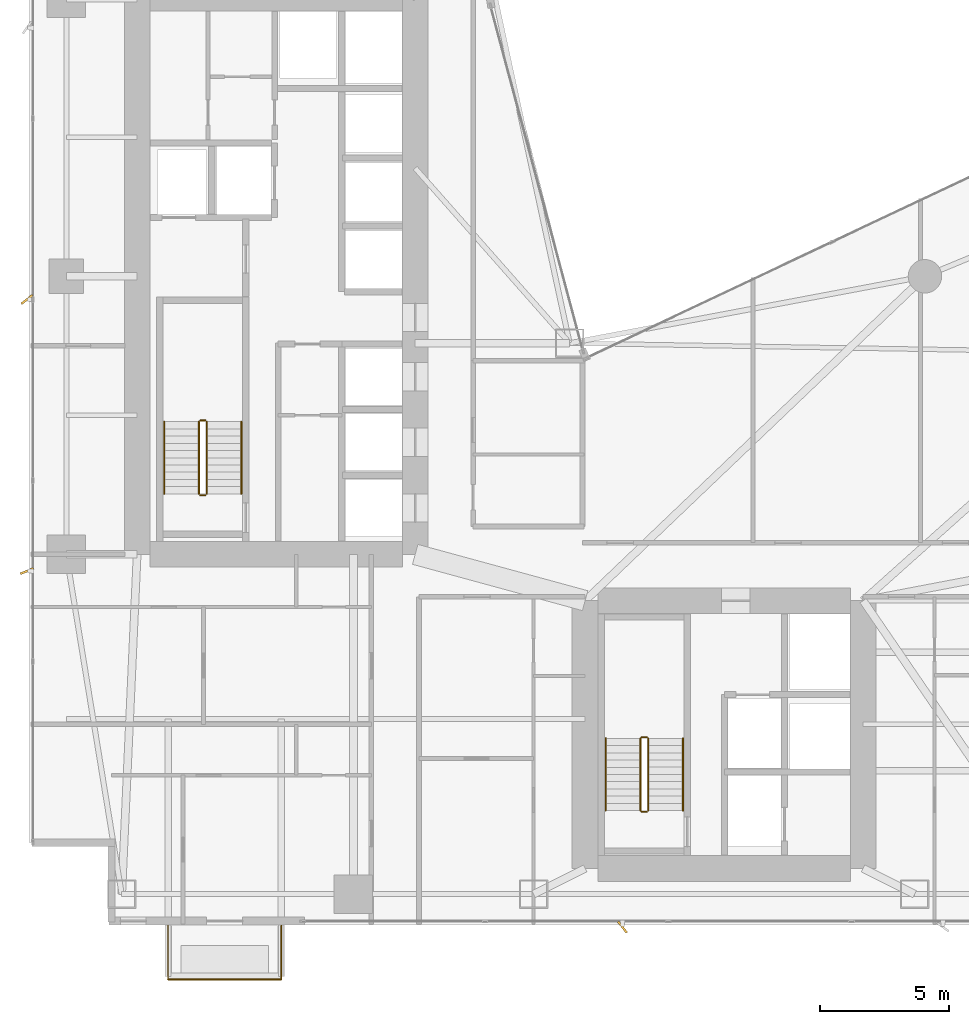
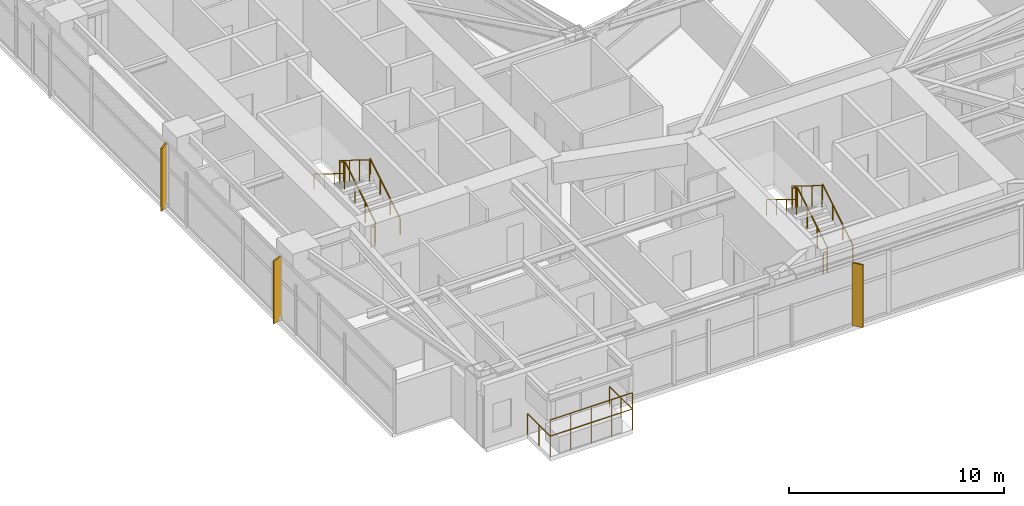
# One storey, part 28 of 30: 14 railings, 3 shading devices.
"""IFC4 building model written with IfcOpenShell, lengths in metres."""

from ifc_helpers import new_model, si_unit, direction, frame, origin, origin_2d, place, context, subcontext, project, spatial, rectangle, circle, extrude, material, type_object, element, save


model = new_model("IFC4")

# Units and contexts
model_context = context("Model", 3, precision=1e-05, world=origin(), true_north=direction((0.0, 1.0)))
body_context = subcontext(model_context, "Body", "Model", "MODEL_VIEW")
ifc_project = project(units=[si_unit("LENGTHUNIT", "METRE"), si_unit("AREAUNIT", "SQUARE_METRE"), si_unit("VOLUMEUNIT", "CUBIC_METRE"), si_unit("PLANEANGLEUNIT", "RADIAN"), si_unit("MASSUNIT", "GRAM", prefix="KILO")], contexts=[model_context])

# Site, building, storey
site_placement = place(None, origin())
site = spatial("IfcSite", under=ifc_project, at=site_placement, CompositionType="ELEMENT")
building_placement = place(site_placement, origin())
building = spatial("IfcBuilding", under=site, at=building_placement, Name="Calvorn Quay Hotel", CompositionType="ELEMENT")
storey_placement = place(building_placement, frame((0.0, 0.0, 73.60009765625)))
storey = spatial("IfcBuildingStorey", under=building, at=storey_placement, Name="L17", CompositionType="ELEMENT", Elevation=73.60009765625)

# Railings
ifc_material_1 = material(Name="Pale Anodised Aluminium and Laminated Glass", Category="aluminium")
railing_type_1 = type_object("IfcRailingType", Name="RLG-BALUSTRADE-1200", PredefinedType="BALUSTRADE", material=ifc_material_1)
railing_1_placement = place(storey_placement, frame((5.39990234375, 2.389892578125, 0.0)))
element("IfcRailing", 1, at=railing_1_placement, inside=storey, type_object=railing_type_1, Name="Tree Balcony Perimeter Balustrade L17-BALC-S", PredefinedType="BALUSTRADE", context=body_context, shape_type="SweptSolid", body=[
    extrude(circle(Radius=0.02392578125, at=origin_2d()), frame((0.0, 0.0, 1.17578125), z_axis=(0.0, -1.0, 0.0), x_axis=(1.0, 0.0, 0.0)), (0.0, 0.0, 1.0), 2.099853515625),
    extrude(circle(Radius=0.02392578125, at=origin_2d()), frame((0.0, -2.099853515625, 1.17578125), z_axis=(1.0, 0.0, 0.0), x_axis=(0.0, 1.0, 0.0)), (0.0, 0.0, 1.0), 4.400146484375),
    extrude(circle(Radius=0.02392578125, at=origin_2d()), frame((4.400146484375, -2.099853515625, 1.17578125), z_axis=(0.0, 1.0, 0.0), x_axis=(-1.0, 0.0, 0.0)), (0.0, 0.0, 1.0), 2.099853515625),
    extrude(circle(Radius=0.02099609375, at=origin_2d()), origin(), (0.0, 0.0, 1.0), 1.15185546875),
    extrude(circle(Radius=0.02099609375, at=origin_2d()), frame((0.0, -1.0498046875, 0.0)), (0.0, 0.0, 1.0), 1.15185546875),
    extrude(circle(Radius=0.02099609375, at=origin_2d()), frame((0.0, -2.099853515625, 0.0)), (0.0, 0.0, 1.0), 1.15185546875),
    extrude(circle(Radius=0.02099609375, at=origin_2d()), frame((1.10009765625, -2.099853515625, 0.0)), (0.0, 0.0, 1.0), 1.15185546875),
    extrude(circle(Radius=0.02099609375, at=origin_2d()), frame((2.2001953125, -2.099853515625, 0.0)), (0.0, 0.0, 1.0), 1.15185546875),
    extrude(circle(Radius=0.02099609375, at=origin_2d()), frame((3.300048828125, -2.099853515625, 0.0)), (0.0, 0.0, 1.0), 1.15185546875),
    extrude(circle(Radius=0.02099609375, at=origin_2d()), frame((4.400146484375, -2.099853515625, 0.0)), (0.0, 0.0, 1.0), 1.15185546875),
    extrude(circle(Radius=0.02099609375, at=origin_2d()), frame((4.400146484375, -1.0498046875, 0.0)), (0.0, 0.0, 1.0), 1.15185546875),
    extrude(circle(Radius=0.02099609375, at=origin_2d()), frame((4.400146484375, 0.0, 0.0)), (0.0, 0.0, 1.0), 1.15185546875),
])
railing_2_placement = place(storey_placement, frame((5.39990234375, 0.2900390625, 0.89990234375)))
element("IfcRailing", 2, at=railing_2_placement, inside=storey, type_object=railing_type_1, Name="Planter Kerb High Safety Screen L17-BALC-S", PredefinedType="BALUSTRADE", context=body_context, shape_type="SweptSolid", body=[
    extrude(circle(Radius=0.02392578125, at=origin_2d()), frame((0.0, 0.0, 1.19580078125), z_axis=(1.0, 0.0, 0.0), x_axis=(0.0, 1.0, 0.0)), (0.0, 0.0, 1.0), 4.400146484375),
    extrude(circle(Radius=0.02099609375, at=origin_2d()), origin(), (0.0, 0.0, 1.0), 1.171875),
    extrude(circle(Radius=0.02099609375, at=origin_2d()), frame((1.10009765625, 0.0, 0.0)), (0.0, 0.0, 1.0), 1.171875),
    extrude(circle(Radius=0.02099609375, at=origin_2d()), frame((2.2001953125, 0.0, 0.0)), (0.0, 0.0, 1.0), 1.171875),
    extrude(circle(Radius=0.02099609375, at=origin_2d()), frame((3.300048828125, 0.0, 0.0)), (0.0, 0.0, 1.0), 1.171875),
    extrude(circle(Radius=0.02099609375, at=origin_2d()), frame((4.400146484375, 0.0, 0.0)), (0.0, 0.0, 1.0), 1.171875),
])
ifc_material_2 = material(Name="Brushed Stainless Steel Handrail", Category="steel")
railing_type_2 = type_object("IfcRailingType", Name="RLG-HANDRAIL-900", PredefinedType="HANDRAIL", material=ifc_material_2)
railing_3_placement = place(storey_placement, frame((8.25, 19.14990234375, 0.172607421875)))
element("IfcRailing", 3, at=railing_3_placement, inside=storey, type_object=railing_type_2, Name="L17 ST-W stair handrail 1", PredefinedType="HANDRAIL", context=body_context, shape_type="SweptSolid", body=[
    extrude(circle(Radius=0.02392578125, at=origin_2d()), frame((0.0, 0.0, 0.8759765625), z_axis=(0.0, 0.851089632645, 0.525020415988), x_axis=(-1.0, 0.0, 0.0)), (0.0, 0.0, 1.0), 3.2900390625),
    extrude(circle(Radius=0.02099609375, at=origin_2d()), origin(), (0.0, 0.0, 1.0), 0.851806640625),
    extrude(circle(Radius=0.02099609375, at=origin_2d()), frame((0.0, 0.933349609375, 0.57568359375)), (0.0, 0.0, 1.0), 0.851806640625),
    extrude(circle(Radius=0.02099609375, at=origin_2d()), frame((0.0, 1.86669921875, 1.151611328125)), (0.0, 0.0, 1.0), 0.851806640625),
    extrude(circle(Radius=0.02099609375, at=origin_2d()), frame((0.0, 2.800048828125, 1.727294921875)), (0.0, 0.0, 1.0), 0.851806640625),
])
railing_4_placement = place(storey_placement, frame((5.25, 21.949951171875, 2.072509765625)))
element("IfcRailing", 4, at=railing_4_placement, inside=storey, type_object=railing_type_2, Name="L17 ST-W stair handrail 2", PredefinedType="HANDRAIL", context=body_context, shape_type="SweptSolid", body=[
    extrude(circle(Radius=0.02392578125, at=origin_2d()), frame((0.0, 0.0, 0.8759765625), z_axis=(0.0, -0.851089632645, 0.525020415988), x_axis=(1.0, 0.0, 0.0)), (0.0, 0.0, 1.0), 3.2900390625),
    extrude(circle(Radius=0.02099609375, at=origin_2d()), origin(), (0.0, 0.0, 1.0), 0.851806640625),
    extrude(circle(Radius=0.02099609375, at=origin_2d()), frame((0.0, -0.933349609375, 0.57568359375)), (0.0, 0.0, 1.0), 0.851806640625),
    extrude(circle(Radius=0.02099609375, at=origin_2d()), frame((0.0, -1.86669921875, 1.151611328125)), (0.0, 0.0, 1.0), 0.851806640625),
    extrude(circle(Radius=0.02099609375, at=origin_2d()), frame((0.0, -2.800048828125, 1.727294921875)), (0.0, 0.0, 1.0), 0.851806640625),
])
railing_5_placement = place(storey_placement, frame((25.39990234375, 6.85009765625, 0.172607421875)))
element("IfcRailing", 5, at=railing_5_placement, inside=storey, type_object=railing_type_2, Name="L17 ST-E stair handrail 1", PredefinedType="HANDRAIL", context=body_context, shape_type="SweptSolid", body=[
    extrude(circle(Radius=0.02392578125, at=origin_2d()), frame((0.0, 0.0, 0.8759765625), z_axis=(0.0, 0.851069175582, 0.525053576669), x_axis=(-1.0, 0.0, 0.0)), (0.0, 0.0, 1.0), 3.289794921875),
    extrude(circle(Radius=0.02099609375, at=origin_2d()), origin(), (0.0, 0.0, 1.0), 0.851806640625),
    extrude(circle(Radius=0.02099609375, at=origin_2d()), frame((0.0, 0.933349609375, 0.57568359375)), (0.0, 0.0, 1.0), 0.851806640625),
    extrude(circle(Radius=0.02099609375, at=origin_2d()), frame((0.0, 1.866455078125, 1.151611328125)), (0.0, 0.0, 1.0), 0.851806640625),
    extrude(circle(Radius=0.02099609375, at=origin_2d()), frame((0.0, 2.7998046875, 1.727294921875)), (0.0, 0.0, 1.0), 0.851806640625),
])
railing_6_placement = place(storey_placement, frame((22.39990234375, 9.64990234375, 2.072509765625)))
element("IfcRailing", 6, at=railing_6_placement, inside=storey, type_object=railing_type_2, Name="L17 ST-E stair handrail 2", PredefinedType="HANDRAIL", context=body_context, shape_type="SweptSolid", body=[
    extrude(circle(Radius=0.02392578125, at=origin_2d()), frame((0.0, 0.0, 0.8759765625), z_axis=(0.0, -0.851069175582, 0.525053576669), x_axis=(1.0, 0.0, 0.0)), (0.0, 0.0, 1.0), 3.289794921875),
    extrude(circle(Radius=0.02099609375, at=origin_2d()), origin(), (0.0, 0.0, 1.0), 0.851806640625),
    extrude(circle(Radius=0.02099609375, at=origin_2d()), frame((0.0, -0.933349609375, 0.57568359375)), (0.0, 0.0, 1.0), 0.851806640625),
    extrude(circle(Radius=0.02099609375, at=origin_2d()), frame((0.0, -1.866455078125, 1.151611328125)), (0.0, 0.0, 1.0), 0.851806640625),
    extrude(circle(Radius=0.02099609375, at=origin_2d()), frame((0.0, -2.7998046875, 1.727294921875)), (0.0, 0.0, 1.0), 0.851806640625),
])
ifc_material_3 = material(Name="Painted Galvanised Steel Balustrade", Category="steel")
railing_type_3 = type_object("IfcRailingType", Name="RLG-STAIR-GUARD-1120", PredefinedType="GUARDRAIL", material=ifc_material_3)
railing_7_placement = place(storey_placement, frame((6.89990234375, 19.14990234375, 0.172607421875)))
element("IfcRailing", 7, at=railing_7_placement, inside=storey, type_object=railing_type_3, Name="L17 ST-W stair guard 1", PredefinedType="GUARDRAIL", context=body_context, shape_type="SweptSolid", body=[
    extrude(circle(Radius=0.02392578125, at=origin_2d()), frame((0.0, 0.0, 1.17578125), z_axis=(0.0, 0.851089632645, 0.525020415988), x_axis=(-1.0, 0.0, 0.0)), (0.0, 0.0, 1.0), 3.2900390625),
    extrude(circle(Radius=0.02099609375, at=origin_2d()), origin(), (0.0, 0.0, 1.0), 1.15185546875),
    extrude(circle(Radius=0.02099609375, at=origin_2d()), frame((0.0, 0.933349609375, 0.57568359375)), (0.0, 0.0, 1.0), 1.15185546875),
    extrude(circle(Radius=0.02099609375, at=origin_2d()), frame((0.0, 1.86669921875, 1.151611328125)), (0.0, 0.0, 1.0), 1.15185546875),
    extrude(circle(Radius=0.02099609375, at=origin_2d()), frame((0.0, 2.800048828125, 1.727294921875)), (0.0, 0.0, 1.0), 1.15185546875),
])
railing_8_placement = place(storey_placement, frame((6.85009765625, 22.0, 1.89990234375)))
element("IfcRailing", 8, at=railing_8_placement, inside=storey, type_object=railing_type_3, Name="L17 ST-W stair guard 2", PredefinedType="GUARDRAIL", context=body_context, shape_type="SweptSolid", body=[
    extrude(circle(Radius=0.02392578125, at=origin_2d()), frame((0.0, 0.0, 1.17578125), z_axis=(-1.0, 0.0, 0.0), x_axis=(0.0, -1.0, 0.0)), (0.0, 0.0, 1.0), 0.2001953125),
    extrude(circle(Radius=0.02099609375, at=origin_2d()), origin(), (0.0, 0.0, 1.0), 1.15185546875),
    extrude(circle(Radius=0.02099609375, at=origin_2d()), frame((-0.2001953125, 0.0, 0.0)), (0.0, 0.0, 1.0), 1.15185546875),
])
railing_9_placement = place(storey_placement, frame((6.60009765625, 21.949951171875, 2.072509765625)))
element("IfcRailing", 9, at=railing_9_placement, inside=storey, type_object=railing_type_3, Name="L17 ST-W stair guard 3", PredefinedType="GUARDRAIL", context=body_context, shape_type="SweptSolid", body=[
    extrude(circle(Radius=0.02392578125, at=origin_2d()), frame((0.0, 0.0, 1.17578125), z_axis=(0.0, -0.851089632645, 0.525020415988), x_axis=(1.0, 0.0, 0.0)), (0.0, 0.0, 1.0), 3.2900390625),
    extrude(circle(Radius=0.02099609375, at=origin_2d()), origin(), (0.0, 0.0, 1.0), 1.15185546875),
    extrude(circle(Radius=0.02099609375, at=origin_2d()), frame((0.0, -0.933349609375, 0.57568359375)), (0.0, 0.0, 1.0), 1.15185546875),
    extrude(circle(Radius=0.02099609375, at=origin_2d()), frame((0.0, -1.86669921875, 1.151611328125)), (0.0, 0.0, 1.0), 1.15185546875),
    extrude(circle(Radius=0.02099609375, at=origin_2d()), frame((0.0, -2.800048828125, 1.727294921875)), (0.0, 0.0, 1.0), 1.15185546875),
])
railing_10_placement = place(storey_placement, frame((6.85009765625, 19.10009765625, 0.0)))
element("IfcRailing", 10, at=railing_10_placement, inside=storey, type_object=railing_type_3, Name="L17 ST-W stair guard 4", PredefinedType="GUARDRAIL", context=body_context, shape_type="SweptSolid", body=[
    extrude(circle(Radius=0.02392578125, at=origin_2d()), frame((0.0, 0.0, 1.17578125), z_axis=(-1.0, 0.0, 0.0), x_axis=(0.0, -1.0, 0.0)), (0.0, 0.0, 1.0), 0.2001953125),
    extrude(circle(Radius=0.02099609375, at=origin_2d()), origin(), (0.0, 0.0, 1.0), 1.15185546875),
    extrude(circle(Radius=0.02099609375, at=origin_2d()), frame((-0.2001953125, 0.0, 0.0)), (0.0, 0.0, 1.0), 1.15185546875),
])
railing_11_placement = place(storey_placement, frame((24.050048828125, 6.85009765625, 0.172607421875)))
element("IfcRailing", 11, at=railing_11_placement, inside=storey, type_object=railing_type_3, Name="L17 ST-E stair guard 1", PredefinedType="GUARDRAIL", context=body_context, shape_type="SweptSolid", body=[
    extrude(circle(Radius=0.02392578125, at=origin_2d()), frame((0.0, 0.0, 1.17578125), z_axis=(0.0, 0.851069175582, 0.525053576669), x_axis=(-1.0, 0.0, 0.0)), (0.0, 0.0, 1.0), 3.289794921875),
    extrude(circle(Radius=0.02099609375, at=origin_2d()), origin(), (0.0, 0.0, 1.0), 1.15185546875),
    extrude(circle(Radius=0.02099609375, at=origin_2d()), frame((0.0, 0.933349609375, 0.57568359375)), (0.0, 0.0, 1.0), 1.15185546875),
    extrude(circle(Radius=0.02099609375, at=origin_2d()), frame((0.0, 1.866455078125, 1.151611328125)), (0.0, 0.0, 1.0), 1.15185546875),
    extrude(circle(Radius=0.02099609375, at=origin_2d()), frame((0.0, 2.7998046875, 1.727294921875)), (0.0, 0.0, 1.0), 1.15185546875),
])
railing_12_placement = place(storey_placement, frame((24.0, 9.699951171875, 1.89990234375)))
element("IfcRailing", 12, at=railing_12_placement, inside=storey, type_object=railing_type_3, Name="L17 ST-E stair guard 2", PredefinedType="GUARDRAIL", context=body_context, shape_type="SweptSolid", body=[
    extrude(circle(Radius=0.02392578125, at=origin_2d()), frame((0.0, 0.0, 1.17578125), z_axis=(-1.0, 0.0, 0.0), x_axis=(0.0, -1.0, 0.0)), (0.0, 0.0, 1.0), 0.199951171875),
    extrude(circle(Radius=0.02099609375, at=origin_2d()), origin(), (0.0, 0.0, 1.0), 1.15185546875),
    extrude(circle(Radius=0.02099609375, at=origin_2d()), frame((-0.199951171875, 0.0, 0.0)), (0.0, 0.0, 1.0), 1.15185546875),
])
railing_13_placement = place(storey_placement, frame((23.75, 9.64990234375, 2.072509765625)))
element("IfcRailing", 13, at=railing_13_placement, inside=storey, type_object=railing_type_3, Name="L17 ST-E stair guard 3", PredefinedType="GUARDRAIL", context=body_context, shape_type="SweptSolid", body=[
    extrude(circle(Radius=0.02392578125, at=origin_2d()), frame((0.0, 0.0, 1.17578125), z_axis=(0.0, -0.851069175582, 0.525053576669), x_axis=(1.0, 0.0, 0.0)), (0.0, 0.0, 1.0), 3.289794921875),
    extrude(circle(Radius=0.02099609375, at=origin_2d()), origin(), (0.0, 0.0, 1.0), 1.15185546875),
    extrude(circle(Radius=0.02099609375, at=origin_2d()), frame((0.0, -0.933349609375, 0.57568359375)), (0.0, 0.0, 1.0), 1.15185546875),
    extrude(circle(Radius=0.02099609375, at=origin_2d()), frame((0.0, -1.866455078125, 1.151611328125)), (0.0, 0.0, 1.0), 1.15185546875),
    extrude(circle(Radius=0.02099609375, at=origin_2d()), frame((0.0, -2.7998046875, 1.727294921875)), (0.0, 0.0, 1.0), 1.15185546875),
])
railing_14_placement = place(storey_placement, frame((24.0, 6.800048828125, 0.0)))
element("IfcRailing", 14, at=railing_14_placement, inside=storey, type_object=railing_type_3, Name="L17 ST-E stair guard 4", PredefinedType="GUARDRAIL", context=body_context, shape_type="SweptSolid", body=[
    extrude(circle(Radius=0.02392578125, at=origin_2d()), frame((0.0, 0.0, 1.17578125), z_axis=(-1.0, 0.0, 0.0), x_axis=(0.0, -1.0, 0.0)), (0.0, 0.0, 1.0), 0.199951171875),
    extrude(circle(Radius=0.02099609375, at=origin_2d()), origin(), (0.0, 0.0, 1.0), 1.15185546875),
    extrude(circle(Radius=0.02099609375, at=origin_2d()), frame((-0.199951171875, 0.0, 0.0)), (0.0, 0.0, 1.0), 1.15185546875),
])

# Shading devices
ifc_material_4 = material(Name="Champagne Bronze Anodised Aluminium 6063-T6", Category="aluminium")
shading_device_type_1 = type_object("IfcShadingDeviceType", Name="SHD-FIN-A1", PredefinedType="USERDEFINED", material=ifc_material_4)
shading_device_placement = place(storey_placement, frame((-0.080078125, 16.14990234375, -0.000244140625), z_axis=(0.0, 0.0, 1.0), x_axis=(0.927183854567, 0.374606593416, 0.0)))
element("IfcShadingDevice", 15, at=shading_device_placement, inside=storey, type_object=shading_device_type_1, Name="Diagonal Sun-Shading Fin L17-W01", ObjectType="FIN", PredefinedType="USERDEFINED", context=body_context, shape_type="SweptSolid", body=[
    extrude(rectangle(XDim=0.550048828125, YDim=0.080078125, at=origin_2d()), origin(), (0.0, 0.0, 1.0), 3.56005859375),
])
ifc_material_5 = material(Name="Champagne Bronze Anodised Aluminium 6063-T6", Category="aluminium")
shading_device_type_2 = type_object("IfcShadingDeviceType", Name="SHD-FIN-A2", PredefinedType="USERDEFINED", material=ifc_material_5)
for number, where, z_axis, x_axis, name in (
    (16, (-0.080078125, 26.699951171875, -0.000244140625), (0.0, 0.0, 1.0), (0.788010753607, 0.615661475326, 0.0), "Diagonal Sun-Shading Fin L17-W02"),
    (17, (23.050048828125, 2.320068359375, -0.000244140625), (0.0, 0.0, 1.0), (-0.615661475326, 0.788010753607, 0.0), "Diagonal Sun-Shading Fin L17-S01"),
):
    element("IfcShadingDevice", number, at=place(storey_placement, frame(where, z_axis=z_axis, x_axis=x_axis)), inside=storey, type_object=shading_device_type_2, Name=name, ObjectType="FIN", PredefinedType="USERDEFINED", context=body_context, shape_type="SweptSolid", body=[
        extrude(rectangle(XDim=0.550048828125, YDim=0.080078125, at=origin_2d()), origin(), (0.0, 0.0, 1.0), 3.56005859375),
    ])

save(model, "model.ifc")
